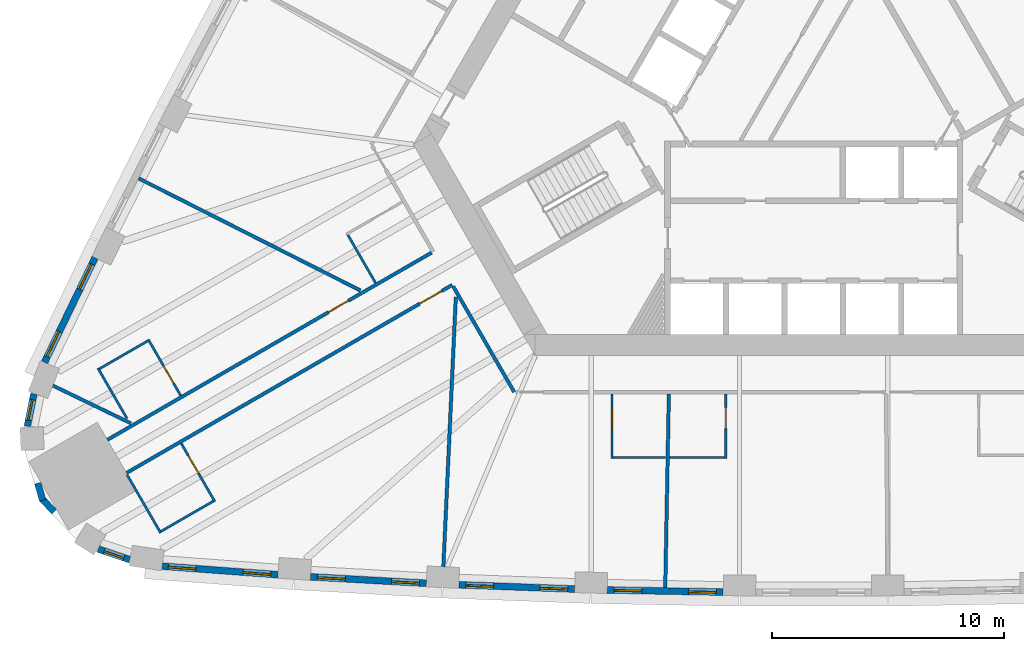
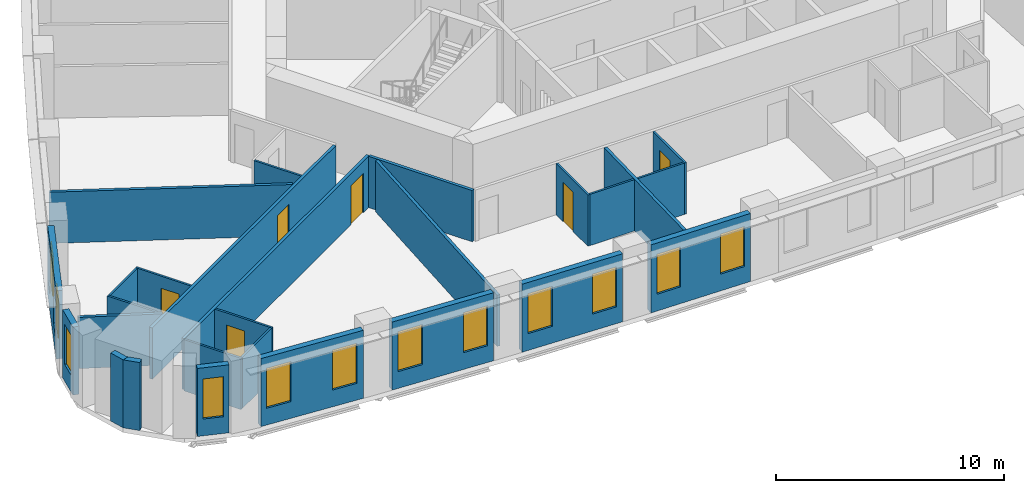
# One storey, part 3 of 12: 27 walls, 12 windows, 6 doors, 18 openings.
"""IFC4 building model written with IfcOpenShell, lengths in metres."""

from ifc_helpers import new_model, si_unit, direction, frame, frame_2d, origin, place, context, subcontext, project, spatial, rectangle, extrude, material, layer, layer_set, type_object, element, fill, save


model = new_model("IFC4")

# Units and contexts
model_context = context("Model", 3, precision=1e-05, world=origin(), true_north=direction((0.0, 1.0)))
body_context = subcontext(model_context, "Body", "Model", "MODEL_VIEW")
ifc_project = project(units=[si_unit("LENGTHUNIT", "METRE"), si_unit("AREAUNIT", "SQUARE_METRE"), si_unit("VOLUMEUNIT", "CUBIC_METRE"), si_unit("PLANEANGLEUNIT", "RADIAN"), si_unit("MASSUNIT", "GRAM", prefix="KILO")], contexts=[model_context])

# Site, building, storey
site_placement = place(None, origin())
site = spatial("IfcSite", under=ifc_project, at=site_placement, CompositionType="ELEMENT")
building_placement = place(site_placement, origin())
building = spatial("IfcBuilding", under=site, at=building_placement, Name="Mestral Congress Tower", CompositionType="ELEMENT")
storey_placement = place(building_placement, frame((0.0, 0.0, 66.60009765625)))
storey = spatial("IfcBuildingStorey", under=building, at=storey_placement, Name="L15", CompositionType="ELEMENT", Elevation=66.60009765625)

# Wall, openings, windows
ifc_material_1 = material(Name="Precast concrete C40/50 with limestone facing", Category="masonry")
ifc_layer_1 = layer(ifc_material_1, 0.2900390625)
ifc_layer_set_1 = layer_set([ifc_layer_1], Name="Precast concrete C40/50 with limestone facing")
wall_type_1 = type_object("IfcWallType", Name="Facade stone wall 290", PredefinedType="SOLIDWALL", material=ifc_layer_set_1)
wall_1_placement = place(storey_placement, frame((-28.097900390625, -22.086181640625, 0.0), z_axis=(0.0, 0.0, 1.0), x_axis=(0.997266290399, -0.073891447643, 0.0)))
wall_1 = element("IfcWall", 1, at=wall_1_placement, inside=storey, type_object=wall_type_1, Name="Facade wall F0-00", PredefinedType="SOLIDWALL", context=body_context, shape_type="SweptSolid", body=[
    extrude(rectangle(XDim=5.005615234375, YDim=0.2900390625, at=frame_2d((2.5029296875, 0.0))), origin(), (0.0, 0.0, 1.0), 3.64990234375),
])
opening_1_placement = place(wall_1_placement, frame((0.26513671875, 0.0, 0.89990234375)))
opening_1 = element("IfcOpeningElement", 2, at=opening_1_placement, cuts=wall_1, Name="Opening W1", PredefinedType="OPENING", context=body_context, shape_type="SweptSolid", body=[
    extrude(rectangle(XDim=1.199951171875, YDim=2.14990234375, at=frame_2d((0.60009765625, 1.074951171875))), frame((0.0, 0.155029296875, 0.0), z_axis=(0.0, -1.0, 0.0), x_axis=(1.0, 0.0, 0.0)), (0.0, 0.0, 1.0), 0.31005859375),
])
opening_2_placement = place(wall_1_placement, frame((3.49560546875, 0.0, 0.89990234375)))
opening_2 = element("IfcOpeningElement", 3, at=opening_2_placement, cuts=wall_1, Name="Opening W1", PredefinedType="OPENING", context=body_context, shape_type="SweptSolid", body=[
    extrude(rectangle(XDim=1.199951171875, YDim=2.14990234375, at=frame_2d((0.60009765625, 1.074951171875))), frame((0.0, 0.155029296875, 0.0), z_axis=(0.0, -1.0, 0.0), x_axis=(1.0, 0.0, 0.0)), (0.0, 0.0, 1.0), 0.31005859375),
])
ifc_material_2 = material(Name="Clear low-emissivity double glazing", Category="glass")
window_type_1 = type_object("IfcWindowType", Name="Facade punched window 1200 x 2150 sill 900", PartitioningType="DOUBLE_PANEL_VERTICAL", PredefinedType="WINDOW", material=ifc_material_2)
window_1_placement = place(opening_1_placement, origin())
window_1 = element("IfcWindow", 4, at=window_1_placement, inside=storey, type_object=window_type_1, Name="Window F0-00a", OverallHeight=2.14990234375, OverallWidth=1.199951171875, PartitioningType="DOUBLE_PANEL_VERTICAL", PredefinedType="WINDOW", context=body_context, shape_type="SweptSolid", body=[
    extrude(rectangle(XDim=1.199951171875, YDim=2.14990234375, at=frame_2d((0.60009765625, 1.074951171875))), frame((0.0, 0.01513671875, 0.0), z_axis=(0.0, -1.0, 0.0), x_axis=(1.0, 0.0, 0.0)), (0.0, 0.0, 1.0), 0.06005859375),
])
fill(opening_1, window_1)
window_2_placement = place(opening_2_placement, origin())
window_2 = element("IfcWindow", 5, at=window_2_placement, inside=storey, type_object=window_type_1, Name="Window F0-00b", OverallHeight=2.14990234375, OverallWidth=1.199951171875, PartitioningType="DOUBLE_PANEL_VERTICAL", PredefinedType="WINDOW", context=body_context, shape_type="SweptSolid", body=[
    extrude(rectangle(XDim=1.199951171875, YDim=2.14990234375, at=frame_2d((0.60009765625, 1.074951171875))), frame((0.0, 0.01513671875, 0.0), z_axis=(0.0, -1.0, 0.0), x_axis=(1.0, 0.0, 0.0)), (0.0, 0.0, 1.0), 0.06005859375),
])
fill(opening_2, window_2)

wall_2_placement = place(storey_placement, frame((-21.701416015625, -22.547119140625, 0.0), z_axis=(0.0, 0.0, 1.0), x_axis=(0.998464708705, -0.055391564976, 0.0)))
wall_2 = element("IfcWall", 6, at=wall_2_placement, inside=storey, type_object=wall_type_1, Name="Facade wall F0-01", PredefinedType="SOLIDWALL", context=body_context, shape_type="SweptSolid", body=[
    extrude(rectangle(XDim=4.998046875, YDim=0.2900390625, at=frame_2d((2.4990234375, 0.0))), origin(), (0.0, 0.0, 1.0), 3.64990234375),
])
opening_3_placement = place(wall_2_placement, frame((0.297119140625, 0.0, 0.89990234375)))
opening_3 = element("IfcOpeningElement", 7, at=opening_3_placement, cuts=wall_2, Name="Opening W1", PredefinedType="OPENING", context=body_context, shape_type="SweptSolid", body=[
    extrude(rectangle(XDim=1.199951171875, YDim=2.14990234375, at=frame_2d((0.60009765625, 1.074951171875))), frame((0.0, 0.155029296875, 0.0), z_axis=(0.0, -1.0, 0.0), x_axis=(1.0, 0.0, 0.0)), (0.0, 0.0, 1.0), 0.31005859375),
])
opening_4_placement = place(wall_2_placement, frame((3.501220703125, 0.0, 0.89990234375)))
opening_4 = element("IfcOpeningElement", 8, at=opening_4_placement, cuts=wall_2, Name="Opening W1", PredefinedType="OPENING", context=body_context, shape_type="SweptSolid", body=[
    extrude(rectangle(XDim=1.199951171875, YDim=2.14990234375, at=frame_2d((0.60009765625, 1.074951171875))), frame((0.0, 0.155029296875, 0.0), z_axis=(0.0, -1.0, 0.0), x_axis=(1.0, 0.0, 0.0)), (0.0, 0.0, 1.0), 0.31005859375),
])
window_3_placement = place(opening_3_placement, origin())
window_3 = element("IfcWindow", 9, at=window_3_placement, inside=storey, type_object=window_type_1, Name="Window F0-01a", OverallHeight=2.14990234375, OverallWidth=1.199951171875, PartitioningType="DOUBLE_PANEL_VERTICAL", PredefinedType="WINDOW", context=body_context, shape_type="SweptSolid", body=[
    extrude(rectangle(XDim=1.199951171875, YDim=2.14990234375, at=frame_2d((0.60009765625, 1.074951171875))), frame((0.0, 0.01513671875, 0.0), z_axis=(0.0, -1.0, 0.0), x_axis=(1.0, 0.0, 0.0)), (0.0, 0.0, 1.0), 0.06005859375),
])
fill(opening_3, window_3)
window_4_placement = place(opening_4_placement, origin())
window_4 = element("IfcWindow", 10, at=window_4_placement, inside=storey, type_object=window_type_1, Name="Window F0-01b", OverallHeight=2.14990234375, OverallWidth=1.199951171875, PartitioningType="DOUBLE_PANEL_VERTICAL", PredefinedType="WINDOW", context=body_context, shape_type="SweptSolid", body=[
    extrude(rectangle(XDim=1.199951171875, YDim=2.14990234375, at=frame_2d((0.60009765625, 1.074951171875))), frame((0.0, 0.01513671875, 0.0), z_axis=(0.0, -1.0, 0.0), x_axis=(1.0, 0.0, 0.0)), (0.0, 0.0, 1.0), 0.06005859375),
])
fill(opening_4, window_4)

wall_3_placement = place(storey_placement, frame((-15.30517578125, -22.88916015625, 0.0), z_axis=(0.0, 0.0, 1.0), x_axis=(0.999317974969, -0.036926750529, 0.0)))
wall_3 = element("IfcWall", 11, at=wall_3_placement, inside=storey, type_object=wall_type_1, Name="Facade wall F0-02", PredefinedType="SOLIDWALL", context=body_context, shape_type="SweptSolid", body=[
    extrude(rectangle(XDim=4.998291015625, YDim=0.2900390625, at=frame_2d((2.4990234375, 0.0))), origin(), (0.0, 0.0, 1.0), 3.64990234375),
])
opening_5_placement = place(wall_3_placement, frame((0.297119140625, 0.0, 0.89990234375)))
opening_5 = element("IfcOpeningElement", 12, at=opening_5_placement, cuts=wall_3, Name="Opening W1", PredefinedType="OPENING", context=body_context, shape_type="SweptSolid", body=[
    extrude(rectangle(XDim=1.199951171875, YDim=2.14990234375, at=frame_2d((0.60009765625, 1.074951171875))), frame((0.0, 0.155029296875, 0.0), z_axis=(0.0, -1.0, 0.0), x_axis=(1.0, 0.0, 0.0)), (0.0, 0.0, 1.0), 0.31005859375),
])
opening_6_placement = place(wall_3_placement, frame((3.501220703125, 0.0, 0.89990234375)))
opening_6 = element("IfcOpeningElement", 13, at=opening_6_placement, cuts=wall_3, Name="Opening W1", PredefinedType="OPENING", context=body_context, shape_type="SweptSolid", body=[
    extrude(rectangle(XDim=1.199951171875, YDim=2.14990234375, at=frame_2d((0.60009765625, 1.074951171875))), frame((0.0, 0.155029296875, 0.0), z_axis=(0.0, -1.0, 0.0), x_axis=(1.0, 0.0, 0.0)), (0.0, 0.0, 1.0), 0.31005859375),
])
window_5_placement = place(opening_5_placement, origin())
window_5 = element("IfcWindow", 14, at=window_5_placement, inside=storey, type_object=window_type_1, Name="Window F0-02a", OverallHeight=2.14990234375, OverallWidth=1.199951171875, PartitioningType="DOUBLE_PANEL_VERTICAL", PredefinedType="WINDOW", context=body_context, shape_type="SweptSolid", body=[
    extrude(rectangle(XDim=1.199951171875, YDim=2.14990234375, at=frame_2d((0.60009765625, 1.074951171875))), frame((0.0, 0.01513671875, 0.0), z_axis=(0.0, -1.0, 0.0), x_axis=(1.0, 0.0, 0.0)), (0.0, 0.0, 1.0), 0.06005859375),
])
fill(opening_5, window_5)
window_6_placement = place(opening_6_placement, origin())
window_6 = element("IfcWindow", 15, at=window_6_placement, inside=storey, type_object=window_type_1, Name="Window F0-02b", OverallHeight=2.14990234375, OverallWidth=1.199951171875, PartitioningType="DOUBLE_PANEL_VERTICAL", PredefinedType="WINDOW", context=body_context, shape_type="SweptSolid", body=[
    extrude(rectangle(XDim=1.199951171875, YDim=2.14990234375, at=frame_2d((0.60009765625, 1.074951171875))), frame((0.0, 0.01513671875, 0.0), z_axis=(0.0, -1.0, 0.0), x_axis=(1.0, 0.0, 0.0)), (0.0, 0.0, 1.0), 0.06005859375),
])
fill(opening_6, window_6)

wall_4_placement = place(storey_placement, frame((-8.903564453125, -23.11279296875, 0.0), z_axis=(0.0, 0.0, 1.0), x_axis=(0.999829529479, -0.018463801951, 0.0)))
wall_4 = element("IfcWall", 16, at=wall_4_placement, inside=storey, type_object=wall_type_1, Name="Facade wall F0-03", PredefinedType="SOLIDWALL", context=body_context, shape_type="SweptSolid", body=[
    extrude(rectangle(XDim=4.998046875, YDim=0.2900390625, at=frame_2d((2.4990234375, 0.0))), origin(), (0.0, 0.0, 1.0), 3.64990234375),
])
opening_7_placement = place(wall_4_placement, frame((0.297119140625, 0.0, 0.89990234375)))
opening_7 = element("IfcOpeningElement", 17, at=opening_7_placement, cuts=wall_4, Name="Opening W1", PredefinedType="OPENING", context=body_context, shape_type="SweptSolid", body=[
    extrude(rectangle(XDim=1.199951171875, YDim=2.14990234375, at=frame_2d((0.60009765625, 1.074951171875))), frame((0.0, 0.155029296875, 0.0), z_axis=(0.0, -1.0, 0.0), x_axis=(1.0, 0.0, 0.0)), (0.0, 0.0, 1.0), 0.31005859375),
])
opening_8_placement = place(wall_4_placement, frame((3.501220703125, 0.0, 0.89990234375)))
opening_8 = element("IfcOpeningElement", 18, at=opening_8_placement, cuts=wall_4, Name="Opening W1", PredefinedType="OPENING", context=body_context, shape_type="SweptSolid", body=[
    extrude(rectangle(XDim=1.199951171875, YDim=2.14990234375, at=frame_2d((0.60009765625, 1.074951171875))), frame((0.0, 0.155029296875, 0.0), z_axis=(0.0, -1.0, 0.0), x_axis=(1.0, 0.0, 0.0)), (0.0, 0.0, 1.0), 0.31005859375),
])
window_7_placement = place(opening_7_placement, origin())
window_7 = element("IfcWindow", 19, at=window_7_placement, inside=storey, type_object=window_type_1, Name="Window F0-03a", OverallHeight=2.14990234375, OverallWidth=1.199951171875, PartitioningType="DOUBLE_PANEL_VERTICAL", PredefinedType="WINDOW", context=body_context, shape_type="SweptSolid", body=[
    extrude(rectangle(XDim=1.199951171875, YDim=2.14990234375, at=frame_2d((0.60009765625, 1.074951171875))), frame((0.0, 0.01513671875, 0.0), z_axis=(0.0, -1.0, 0.0), x_axis=(1.0, 0.0, 0.0)), (0.0, 0.0, 1.0), 0.06005859375),
])
fill(opening_7, window_7)
window_8_placement = place(opening_8_placement, origin())
window_8 = element("IfcWindow", 20, at=window_8_placement, inside=storey, type_object=window_type_1, Name="Window F0-03b", OverallHeight=2.14990234375, OverallWidth=1.199951171875, PartitioningType="DOUBLE_PANEL_VERTICAL", PredefinedType="WINDOW", context=body_context, shape_type="SweptSolid", body=[
    extrude(rectangle(XDim=1.199951171875, YDim=2.14990234375, at=frame_2d((0.60009765625, 1.074951171875))), frame((0.0, 0.01513671875, 0.0), z_axis=(0.0, -1.0, 0.0), x_axis=(1.0, 0.0, 0.0)), (0.0, 0.0, 1.0), 0.06005859375),
])
fill(opening_8, window_8)

wall_5_placement = place(storey_placement, frame((-31.000244140625, -8.7822265625, 0.0), z_axis=(0.0, 0.0, 1.0), x_axis=(-0.434664499056, -0.900592456808, 0.0)))
wall_5 = element("IfcWall", 21, at=wall_5_placement, inside=storey, type_object=wall_type_1, Name="Facade wall F2-08", PredefinedType="SOLIDWALL", context=body_context, shape_type="SweptSolid", body=[
    extrude(rectangle(XDim=5.005615234375, YDim=0.2900390625, at=frame_2d((2.5029296875, 0.0))), origin(), (0.0, 0.0, 1.0), 3.64990234375),
])
opening_9_placement = place(wall_5_placement, frame((0.310302734375, 0.0, 0.89990234375)))
opening_9 = element("IfcOpeningElement", 22, at=opening_9_placement, cuts=wall_5, Name="Opening W1", PredefinedType="OPENING", context=body_context, shape_type="SweptSolid", body=[
    extrude(rectangle(XDim=1.199951171875, YDim=2.14990234375, at=frame_2d((0.60009765625, 1.074951171875))), frame((0.0, 0.155029296875, 0.0), z_axis=(0.0, -1.0, 0.0), x_axis=(1.0, 0.0, 0.0)), (0.0, 0.0, 1.0), 0.31005859375),
])
opening_10_placement = place(wall_5_placement, frame((3.54052734375, 0.0, 0.89990234375)))
opening_10 = element("IfcOpeningElement", 23, at=opening_10_placement, cuts=wall_5, Name="Opening W1", PredefinedType="OPENING", context=body_context, shape_type="SweptSolid", body=[
    extrude(rectangle(XDim=1.199951171875, YDim=2.14990234375, at=frame_2d((0.60009765625, 1.074951171875))), frame((0.0, 0.155029296875, 0.0), z_axis=(0.0, -1.0, 0.0), x_axis=(1.0, 0.0, 0.0)), (0.0, 0.0, 1.0), 0.31005859375),
])
window_9_placement = place(opening_9_placement, origin())
window_9 = element("IfcWindow", 24, at=window_9_placement, inside=storey, type_object=window_type_1, Name="Window F2-08a", OverallHeight=2.14990234375, OverallWidth=1.199951171875, PartitioningType="DOUBLE_PANEL_VERTICAL", PredefinedType="WINDOW", context=body_context, shape_type="SweptSolid", body=[
    extrude(rectangle(XDim=1.199951171875, YDim=2.14990234375, at=frame_2d((0.60009765625, 1.074951171875))), frame((0.0, 0.01513671875, 0.0), z_axis=(0.0, -1.0, 0.0), x_axis=(1.0, 0.0, 0.0)), (0.0, 0.0, 1.0), 0.06005859375),
])
fill(opening_9, window_9)
window_10_placement = place(opening_10_placement, origin())
window_10 = element("IfcWindow", 25, at=window_10_placement, inside=storey, type_object=window_type_1, Name="Window F2-08b", OverallHeight=2.14990234375, OverallWidth=1.199951171875, PartitioningType="DOUBLE_PANEL_VERTICAL", PredefinedType="WINDOW", context=body_context, shape_type="SweptSolid", body=[
    extrude(rectangle(XDim=1.199951171875, YDim=2.14990234375, at=frame_2d((0.60009765625, 1.074951171875))), frame((0.0, 0.01513671875, 0.0), z_axis=(0.0, -1.0, 0.0), x_axis=(1.0, 0.0, 0.0)), (0.0, 0.0, 1.0), 0.06005859375),
])
fill(opening_10, window_10)

# Wall, opening, window
wall_6_placement = place(storey_placement, frame((-33.63720703125, -14.656982421875, 0.0), z_axis=(0.0, 0.0, 1.0), x_axis=(-0.198106888228, -0.980180422594, 0.0)))
wall_6 = element("IfcWall", 26, at=wall_6_placement, inside=storey, type_object=wall_type_1, Name="Facade wall K2-0", PredefinedType="SOLIDWALL", context=body_context, shape_type="SweptSolid", body=[
    extrude(rectangle(XDim=1.414794921875, YDim=0.2900390625, at=frame_2d((0.70751953125, 0.0))), origin(), (0.0, 0.0, 1.0), 3.64990234375),
])
opening_11_placement = place(wall_6_placement, frame((0.25732421875, 0.0, 0.89990234375)))
opening_11 = element("IfcOpeningElement", 27, at=opening_11_placement, cuts=wall_6, Name="Opening W3", PredefinedType="OPENING", context=body_context, shape_type="SweptSolid", body=[
    extrude(rectangle(XDim=0.89990234375, YDim=2.14990234375, at=frame_2d((0.449951171875, 1.074951171875))), frame((0.0, 0.155029296875, 0.0), z_axis=(0.0, -1.0, 0.0), x_axis=(1.0, 0.0, 0.0)), (0.0, 0.0, 1.0), 0.31005859375),
])
window_type_2 = type_object("IfcWindowType", Name="Facade punched window 900 x 2150 sill 900", PartitioningType="SINGLE_PANEL", PredefinedType="WINDOW", material=ifc_material_2)
window_11_placement = place(opening_11_placement, origin())
window_11 = element("IfcWindow", 28, at=window_11_placement, inside=storey, type_object=window_type_2, Name="Window K2-0", OverallHeight=2.14990234375, OverallWidth=0.89990234375, PartitioningType="SINGLE_PANEL", PredefinedType="WINDOW", context=body_context, shape_type="SweptSolid", body=[
    extrude(rectangle(XDim=0.89990234375, YDim=2.14990234375, at=frame_2d((0.449951171875, 1.074951171875))), frame((0.0, 0.01513671875, 0.0), z_axis=(0.0, -1.0, 0.0), x_axis=(1.0, 0.0, 0.0)), (0.0, 0.0, 1.0), 0.06005859375),
])
fill(opening_11, window_11)

# Walls
for number, where, z_axis, x_axis, name in (
    (29, (-33.4697265625, -18.507080078125, 0.0), (0.0, 0.0, 1.0), (0.278981320915, -0.960296528464, 0.0), "Facade wall K2-1"),
    (30, (-33.291259765625, -19.180908203125, 0.0), (0.0, 0.0, 1.0), (0.692252359589, -0.721655506903, 0.0), "Facade wall K2-2"),
):
    element("IfcWall", number, at=place(storey_placement, frame(where, z_axis=z_axis, x_axis=x_axis)), inside=storey, type_object=wall_type_1, Name=name, PredefinedType="SOLIDWALL", context=body_context, shape_type="SweptSolid", body=[
        extrude(rectangle(XDim=0.763916015625, YDim=0.2900390625, at=frame_2d((0.3818359375, 0.0))), origin(), (0.0, 0.0, 1.0), 3.64990234375),
    ])

# Wall, opening, window
wall_7_placement = place(storey_placement, frame((-30.852783203125, -21.3515625, 0.0), z_axis=(0.0, 0.0, 1.0), x_axis=(0.947903891592, -0.318556450734, 0.0)))
wall_7 = element("IfcWall", 31, at=wall_7_placement, inside=storey, type_object=wall_type_1, Name="Facade wall K2-3", PredefinedType="SOLIDWALL", context=body_context, shape_type="SweptSolid", body=[
    extrude(rectangle(XDim=1.414794921875, YDim=0.2900390625, at=frame_2d((0.70751953125, 0.0))), origin(), (0.0, 0.0, 1.0), 3.64990234375),
])
opening_12_placement = place(wall_7_placement, frame((0.25732421875, 0.0, 0.89990234375)))
opening_12 = element("IfcOpeningElement", 32, at=opening_12_placement, cuts=wall_7, Name="Opening W3", PredefinedType="OPENING", context=body_context, shape_type="SweptSolid", body=[
    extrude(rectangle(XDim=0.89990234375, YDim=2.14990234375, at=frame_2d((0.449951171875, 1.074951171875))), frame((0.0, 0.155029296875, 0.0), z_axis=(0.0, -1.0, 0.0), x_axis=(1.0, 0.0, 0.0)), (0.0, 0.0, 1.0), 0.31005859375),
])
window_12_placement = place(opening_12_placement, origin())
window_12 = element("IfcWindow", 33, at=window_12_placement, inside=storey, type_object=window_type_2, Name="Window K2-3", OverallHeight=2.14990234375, OverallWidth=0.89990234375, PartitioningType="SINGLE_PANEL", PredefinedType="WINDOW", context=body_context, shape_type="SweptSolid", body=[
    extrude(rectangle(XDim=0.89990234375, YDim=2.14990234375, at=frame_2d((0.449951171875, 1.074951171875))), frame((0.0, 0.01513671875, 0.0), z_axis=(0.0, -1.0, 0.0), x_axis=(1.0, 0.0, 0.0)), (0.0, 0.0, 1.0), 0.06005859375),
])
fill(opening_12, window_12)

# Wall, opening, door
ifc_material_3 = material(Name="Gypsum board partition on metal studs with mineral wool", Category="composite")
ifc_layer_2 = layer(ifc_material_3, 0.10009765625)
ifc_layer_set_2 = layer_set([ifc_layer_2], Name="Gypsum board partition on metal studs with mineral wool")
wall_type_2 = type_object("IfcWallType", Name="Hotel partition wall 100", PredefinedType="PARTITIONING", material=ifc_layer_set_2)
wall_8_placement = place(storey_placement, frame((-25.8291015625, -19.30029296875, 0.0), z_axis=(0.0, 0.0, 1.0), x_axis=(-0.50005036918, 0.865996321171, 0.0)))
wall_8 = element("IfcWall", 34, at=wall_8_placement, inside=storey, type_object=wall_type_2, Name="L15-h-pod01a", PredefinedType="PARTITIONING", context=body_context, shape_type="SweptSolid", body=[
    extrude(rectangle(XDim=2.900146484375, YDim=0.10009765625, at=frame_2d((1.4501953125, 0.0))), origin(), (0.0, 0.0, 1.0), 2.75),
])
opening_13_placement = place(wall_8_placement, frame((1.39990234375, 0.0, 0.0)))
opening_13 = element("IfcOpeningElement", 35, at=opening_13_placement, cuts=wall_8, Name="Opening H04-002", PredefinedType="OPENING", context=body_context, shape_type="SweptSolid", body=[
    extrude(rectangle(XDim=0.89990234375, YDim=2.10009765625, at=frame_2d((0.449951171875, 1.050048828125))), frame((0.0, 0.06005859375, 0.0), z_axis=(0.0, -1.0, 0.0), x_axis=(1.0, 0.0, 0.0)), (0.0, 0.0, 1.0), 0.1201171875),
])
ifc_material_4 = material(Name="Timber veneer door leaf in timber frame", Category="wood")
door_type_1 = type_object("IfcDoorType", Name="Bathroom door 900", OperationType="SINGLE_SWING_LEFT", PredefinedType="DOOR", material=ifc_material_4)
door_1_placement = place(opening_13_placement, origin())
door_1 = element("IfcDoor", 36, at=door_1_placement, inside=storey, type_object=door_type_1, Name="L15-h-d002", OperationType="SINGLE_SWING_LEFT", OverallHeight=2.10009765625, OverallWidth=0.89990234375, PredefinedType="DOOR", context=body_context, shape_type="SweptSolid", body=[
    extrude(rectangle(XDim=0.89990234375, YDim=2.10009765625, at=frame_2d((0.449951171875, 1.050048828125))), frame((0.0, 0.02490234375, 0.0), z_axis=(0.0, -1.0, 0.0), x_axis=(1.0, 0.0, 0.0)), (0.0, 0.0, 1.0), 0.050048828125),
])
fill(opening_13, door_1)

# Walls
wall_9_placement = place(storey_placement, frame((-25.8974609375, -19.281982421875, 0.0), z_axis=(0.0, 0.0, 1.0), x_axis=(-0.866021400173, -0.500006934395, 0.0)))
element("IfcWall", 37, at=wall_9_placement, inside=storey, type_object=wall_type_2, Name="L15-h-pod01b", PredefinedType="PARTITIONING", context=body_context, shape_type="SweptSolid", body=[
    extrude(rectangle(XDim=2.60009765625, YDim=0.10009765625, at=frame_2d((1.300048828125, 0.0))), origin(), (0.0, 0.0, 1.0), 2.75),
])
wall_10_placement = place(storey_placement, frame((-29.617431640625, -18.138916015625, 0.0), z_axis=(0.0, 0.0, 1.0), x_axis=(0.499987231761, -0.866032775405, 0.0)))
element("IfcWall", 38, at=wall_10_placement, inside=storey, type_object=wall_type_2, Name="L15-h-pod01c", PredefinedType="PARTITIONING", context=body_context, shape_type="SweptSolid", body=[
    extrude(rectangle(XDim=2.89990234375, YDim=0.10009765625, at=frame_2d((1.449951171875, 0.0))), origin(), (0.0, 0.0, 1.0), 2.75),
])

# Wall, opening, door
wall_11_placement = place(storey_placement, frame((-8.70166015625, -14.64990234375, 0.0), z_axis=(0.0, 0.0, 1.0), x_axis=(0.0, -1.0, 0.0)))
wall_11 = element("IfcWall", 39, at=wall_11_placement, inside=storey, type_object=wall_type_2, Name="L15-h-pod02a", PredefinedType="PARTITIONING", context=body_context, shape_type="SweptSolid", body=[
    extrude(rectangle(XDim=2.800048828125, YDim=0.10009765625, at=frame_2d((1.39990234375, 0.0))), origin(), (0.0, 0.0, 1.0), 2.75),
])
opening_14_placement = place(wall_11_placement, frame((0.60009765625, 0.0, 0.0)))
opening_14 = element("IfcOpeningElement", 40, at=opening_14_placement, cuts=wall_11, Name="Opening H04-004", PredefinedType="OPENING", context=body_context, shape_type="SweptSolid", body=[
    extrude(rectangle(XDim=0.89990234375, YDim=2.10009765625, at=frame_2d((0.449951171875, 1.050048828125))), frame((0.0, 0.06005859375, 0.0), z_axis=(0.0, -1.0, 0.0), x_axis=(1.0, 0.0, 0.0)), (0.0, 0.0, 1.0), 0.1201171875),
])
door_2_placement = place(opening_14_placement, origin())
door_2 = element("IfcDoor", 41, at=door_2_placement, inside=storey, type_object=door_type_1, Name="L15-h-d004", OperationType="SINGLE_SWING_LEFT", OverallHeight=2.10009765625, OverallWidth=0.89990234375, PredefinedType="DOOR", context=body_context, shape_type="SweptSolid", body=[
    extrude(rectangle(XDim=0.89990234375, YDim=2.10009765625, at=frame_2d((0.449951171875, 1.050048828125))), frame((0.0, 0.02490234375, 0.0), z_axis=(0.0, -1.0, 0.0), x_axis=(1.0, 0.0, 0.0)), (0.0, 0.0, 1.0), 0.050048828125),
])
fill(opening_14, door_2)

# Wall
wall_12_placement = place(storey_placement, frame((-8.651611328125, -17.39990234375, 0.0), z_axis=(0.0, 0.0, 1.0), x_axis=(1.0, 0.0, 0.0)))
element("IfcWall", 42, at=wall_12_placement, inside=storey, type_object=wall_type_2, Name="L15-h-pod02b", PredefinedType="PARTITIONING", context=body_context, shape_type="SweptSolid", body=[
    extrude(rectangle(XDim=2.27001953125, YDim=0.10009765625, at=frame_2d((1.135009765625, 0.0))), origin(), (0.0, 0.0, 1.0), 2.75),
])

# Wall, opening, door
wall_13_placement = place(storey_placement, frame((-3.794189453125, -17.449951171875, 0.0), z_axis=(0.0, 0.0, 1.0), x_axis=(0.0, 1.0, 0.0)))
wall_13 = element("IfcWall", 43, at=wall_13_placement, inside=storey, type_object=wall_type_2, Name="L15-h-pod03a", PredefinedType="PARTITIONING", context=body_context, shape_type="SweptSolid", body=[
    extrude(rectangle(XDim=2.800048828125, YDim=0.10009765625, at=frame_2d((1.39990234375, 0.0))), origin(), (0.0, 0.0, 1.0), 2.75),
])
opening_15_placement = place(wall_13_placement, frame((1.300048828125, 0.0, 0.0)))
opening_15 = element("IfcOpeningElement", 44, at=opening_15_placement, cuts=wall_13, Name="Opening H04-006", PredefinedType="OPENING", context=body_context, shape_type="SweptSolid", body=[
    extrude(rectangle(XDim=0.89990234375, YDim=2.10009765625, at=frame_2d((0.449951171875, 1.050048828125))), frame((0.0, 0.06005859375, 0.0), z_axis=(0.0, -1.0, 0.0), x_axis=(1.0, 0.0, 0.0)), (0.0, 0.0, 1.0), 0.1201171875),
])
door_3_placement = place(opening_15_placement, origin())
door_3 = element("IfcDoor", 45, at=door_3_placement, inside=storey, type_object=door_type_1, Name="L15-h-d006", OperationType="SINGLE_SWING_RIGHT", OverallHeight=2.10009765625, OverallWidth=0.89990234375, PredefinedType="DOOR", context=body_context, shape_type="SweptSolid", body=[
    extrude(rectangle(XDim=0.89990234375, YDim=2.10009765625, at=frame_2d((0.449951171875, 1.050048828125))), frame((0.0, 0.02490234375, 0.0), z_axis=(0.0, -1.0, 0.0), x_axis=(1.0, 0.0, 0.0)), (0.0, 0.0, 1.0), 0.050048828125),
])
fill(opening_15, door_3)

# Walls
wall_14_placement = place(storey_placement, frame((-3.84423828125, -17.39990234375, 0.0), z_axis=(0.0, 0.0, 1.0), x_axis=(-1.0, 0.0, 0.0)))
element("IfcWall", 46, at=wall_14_placement, inside=storey, type_object=wall_type_2, Name="L15-h-pod03b", PredefinedType="PARTITIONING", context=body_context, shape_type="SweptSolid", body=[
    extrude(rectangle(XDim=2.3701171875, YDim=0.10009765625, at=frame_2d((1.18505859375, 0.0))), origin(), (0.0, 0.0, 1.0), 2.75),
])
wall_15_placement = place(storey_placement, frame((-20.091796875, -7.7998046875, 0.0), z_axis=(0.0, 0.0, 1.0), x_axis=(0.499940577336, -0.866059708757, 0.0)))
element("IfcWall", 47, at=wall_15_placement, inside=storey, type_object=wall_type_2, Name="L15-h-pod22b", PredefinedType="PARTITIONING", context=body_context, shape_type="SweptSolid", body=[
    extrude(rectangle(XDim=2.389892578125, YDim=0.10009765625, at=frame_2d((1.19482421875, 0.0))), origin(), (0.0, 0.0, 1.0), 2.75),
])

# Wall, opening, door
wall_16_placement = place(storey_placement, frame((-27.30419921875, -14.724853515625, 0.0), z_axis=(0.0, 0.0, 1.0), x_axis=(-0.49998411664, 0.866034573852, 0.0)))
wall_16 = element("IfcWall", 48, at=wall_16_placement, inside=storey, type_object=wall_type_2, Name="L15-h-pod23a", PredefinedType="PARTITIONING", context=body_context, shape_type="SweptSolid", body=[
    extrude(rectangle(XDim=2.7998046875, YDim=0.10009765625, at=frame_2d((1.39990234375, 0.0))), origin(), (0.0, 0.0, 1.0), 2.75),
])
opening_16_placement = place(wall_16_placement, frame((0.60009765625, 0.0, 0.0)))
opening_16 = element("IfcOpeningElement", 49, at=opening_16_placement, cuts=wall_16, Name="Opening H04-044", PredefinedType="OPENING", context=body_context, shape_type="SweptSolid", body=[
    extrude(rectangle(XDim=0.89990234375, YDim=2.10009765625, at=frame_2d((0.449951171875, 1.050048828125))), frame((0.0, 0.06005859375, 0.0), z_axis=(0.0, -1.0, 0.0), x_axis=(1.0, 0.0, 0.0)), (0.0, 0.0, 1.0), 0.1201171875),
])
door_4_placement = place(opening_16_placement, origin())
door_4 = element("IfcDoor", 50, at=door_4_placement, inside=storey, type_object=door_type_1, Name="L15-h-d044", OperationType="SINGLE_SWING_LEFT", OverallHeight=2.10009765625, OverallWidth=0.89990234375, PredefinedType="DOOR", context=body_context, shape_type="SweptSolid", body=[
    extrude(rectangle(XDim=0.89990234375, YDim=2.10009765625, at=frame_2d((0.449951171875, 1.050048828125))), frame((0.0, 0.02490234375, 0.0), z_axis=(0.0, -1.0, 0.0), x_axis=(1.0, 0.0, 0.0)), (0.0, 0.0, 1.0), 0.050048828125),
])
fill(opening_16, door_4)

# Walls
wall_17_placement = place(storey_placement, frame((-28.722412109375, -12.368408203125, 0.0), z_axis=(0.0, 0.0, 1.0), x_axis=(-0.866050077142, -0.499957262057, 0.0)))
element("IfcWall", 51, at=wall_17_placement, inside=storey, type_object=wall_type_2, Name="L15-h-pod23b", PredefinedType="PARTITIONING", context=body_context, shape_type="SweptSolid", body=[
    extrude(rectangle(XDim=2.400146484375, YDim=0.10009765625, at=frame_2d((1.2001953125, 0.0))), origin(), (0.0, 0.0, 1.0), 2.75),
])
wall_18_placement = place(storey_placement, frame((-29.619384765625, -15.715087890625, 0.0), z_axis=(0.0, 0.0, 1.0), x_axis=(-0.500004234368, 0.866022959057, 0.0)))
element("IfcWall", 52, at=wall_18_placement, inside=storey, type_object=wall_type_2, Name="L15-h-pod23c", PredefinedType="PARTITIONING", context=body_context, shape_type="SweptSolid", body=[
    extrude(rectangle(XDim=2.5, YDim=0.10009765625, at=frame_2d((1.25, 0.0))), origin(), (0.0, 0.0, 1.0), 2.75),
])

# Wall, opening, door
ifc_layer_3 = layer(ifc_material_3, 0.14990234375)
ifc_layer_set_3 = layer_set([ifc_layer_3], Name="Gypsum board partition on metal studs with mineral wool")
wall_type_3 = type_object("IfcWallType", Name="Hotel partition wall 150", PredefinedType="PARTITIONING", material=ifc_layer_set_3)
wall_19_placement = place(storey_placement, frame((-30.462646484375, -16.635009765625, 0.0), z_axis=(0.0, 0.0, 1.0), x_axis=(0.866022394896, 0.500005211512, 0.0)))
wall_19 = element("IfcWall", 53, at=wall_19_placement, inside=storey, type_object=wall_type_3, Name="L15-h-cw10", PredefinedType="PARTITIONING", context=body_context, shape_type="SweptSolid", body=[
    extrude(rectangle(XDim=16.143798828125, YDim=0.14990234375, at=frame_2d((8.07177734375, 0.0))), origin(), (0.0, 0.0, 1.0), 2.75),
])
opening_17_placement = place(wall_19_placement, frame((11.004150390625, 0.0, 0.0)))
opening_17 = element("IfcOpeningElement", 54, at=opening_17_placement, cuts=wall_19, Name="Opening H04-043", PredefinedType="OPENING", context=body_context, shape_type="SweptSolid", body=[
    extrude(rectangle(XDim=1.0, YDim=2.10009765625, at=frame_2d((0.5, 1.050048828125))), frame((0.0, 0.0849609375, 0.0), z_axis=(0.0, -1.0, 0.0), x_axis=(1.0, 0.0, 0.0)), (0.0, 0.0, 1.0), 0.169921875),
])
ifc_material_5 = material(Name="Timber veneer door leaf in metal frame", Category="wood")
door_type_2 = type_object("IfcDoorType", Name="Guest room entrance door 1000", OperationType="SINGLE_SWING_LEFT", PredefinedType="DOOR", material=ifc_material_5)
door_5_placement = place(opening_17_placement, origin())
door_5 = element("IfcDoor", 55, at=door_5_placement, inside=storey, type_object=door_type_2, Name="L15-h-d043", OperationType="SINGLE_SWING_RIGHT", OverallHeight=2.10009765625, OverallWidth=1.0, PredefinedType="DOOR", context=body_context, shape_type="SweptSolid", body=[
    extrude(rectangle(XDim=1.0, YDim=2.10009765625, at=frame_2d((0.5, 1.050048828125))), frame((0.0, 0.02490234375, 0.0), z_axis=(0.0, -1.0, 0.0), x_axis=(1.0, 0.0, 0.0)), (0.0, 0.0, 1.0), 0.050048828125),
])
fill(opening_17, door_5)

wall_20_placement = place(storey_placement, frame((-15.58740234375, -9.951904296875, 0.0), z_axis=(0.0, 0.0, 1.0), x_axis=(-0.866022197818, -0.500005552856, 0.0)))
wall_20 = element("IfcWall", 56, at=wall_20_placement, inside=storey, type_object=wall_type_3, Name="L15-h-cw11", PredefinedType="PARTITIONING", context=body_context, shape_type="SweptSolid", body=[
    extrude(rectangle(XDim=16.223876953125, YDim=0.14990234375, at=frame_2d((8.11181640625, 0.0))), origin(), (0.0, 0.0, 1.0), 2.75),
])
opening_18_placement = place(wall_20_placement, frame((0.527099609375, 0.0, 0.0)))
opening_18 = element("IfcOpeningElement", 57, at=opening_18_placement, cuts=wall_20, Name="Opening H04-001", PredefinedType="OPENING", context=body_context, shape_type="SweptSolid", body=[
    extrude(rectangle(XDim=1.10009765625, YDim=2.10009765625, at=frame_2d((0.550048828125, 1.050048828125))), frame((0.0, 0.0849609375, 0.0), z_axis=(0.0, -1.0, 0.0), x_axis=(1.0, 0.0, 0.0)), (0.0, 0.0, 1.0), 0.169921875),
])
door_type_3 = type_object("IfcDoorType", Name="Accessible room entrance door 1100", OperationType="SINGLE_SWING_LEFT", PredefinedType="DOOR", material=ifc_material_5)
door_6_placement = place(opening_18_placement, origin())
door_6 = element("IfcDoor", 58, at=door_6_placement, inside=storey, type_object=door_type_3, Name="L15-h-d001", OperationType="SINGLE_SWING_LEFT", OverallHeight=2.10009765625, OverallWidth=1.10009765625, PredefinedType="DOOR", context=body_context, shape_type="SweptSolid", body=[
    extrude(rectangle(XDim=1.10009765625, YDim=2.10009765625, at=frame_2d((0.550048828125, 1.050048828125))), frame((0.0, 0.02490234375, 0.0), z_axis=(0.0, -1.0, 0.0), x_axis=(1.0, 0.0, 0.0)), (0.0, 0.0, 1.0), 0.050048828125),
])
fill(opening_18, door_6)

# Walls
wall_21_placement = place(storey_placement, frame((-12.918212890625, -14.574951171875, 0.0), z_axis=(0.0, 0.0, 1.0), x_axis=(-0.500009150678, 0.866020120573, 0.0)))
element("IfcWall", 59, at=wall_21_placement, inside=storey, type_object=wall_type_3, Name="L15-h-cw12", PredefinedType="PARTITIONING", context=body_context, shape_type="SweptSolid", body=[
    extrude(rectangle(XDim=5.25830078125, YDim=0.14990234375, at=frame_2d((2.629150390625, 0.0))), origin(), (0.0, 0.0, 1.0), 2.75),
])
wall_22_placement = place(storey_placement, frame((-32.8173828125, -14.29638671875, 0.0), z_axis=(0.0, 0.0, 1.0), x_axis=(0.900616957918, -0.434613730927, 0.0)))
element("IfcWall", 60, at=wall_22_placement, inside=storey, type_object=wall_type_3, Name="L15-h-pw01", PredefinedType="PARTITIONING", context=body_context, shape_type="SweptSolid", body=[
    extrude(rectangle(XDim=3.7333984375, YDim=0.14990234375, at=frame_2d((1.86669921875, 0.0))), origin(), (0.0, 0.0, 1.0), 2.75),
])
wall_23_placement = place(storey_placement, frame((-29.119873046875, -5.355712890625, 0.0), z_axis=(0.0, 0.0, 1.0), x_axis=(0.892401965553, -0.451241323327, 0.0)))
element("IfcWall", 61, at=wall_23_placement, inside=storey, type_object=wall_type_3, Name="L15-h-pw02", PredefinedType="PARTITIONING", context=body_context, shape_type="SweptSolid", body=[
    extrude(rectangle(XDim=10.728759765625, YDim=0.14990234375, at=frame_2d((5.3642578125, 0.0))), origin(), (0.0, 0.0, 1.0), 2.75),
])
wall_24_placement = place(storey_placement, frame((-15.973388671875, -22.10888671875, 0.0), z_axis=(0.0, 0.0, 1.0), x_axis=(0.046191717129, 0.998932592955, 0.0)))
element("IfcWall", 62, at=wall_24_placement, inside=storey, type_object=wall_type_3, Name="L15-h-pw05", PredefinedType="PARTITIONING", context=body_context, shape_type="SweptSolid", body=[
    extrude(rectangle(XDim=11.638427734375, YDim=0.14990234375, at=frame_2d((5.8193359375, 0.0))), origin(), (0.0, 0.0, 1.0), 2.75),
])
wall_25_placement = place(storey_placement, frame((-6.40234375, -23.013916015625, 0.0), z_axis=(0.0, 0.0, 1.0), x_axis=(0.01849587109, 0.999828936745, 0.0)))
element("IfcWall", 63, at=wall_25_placement, inside=storey, type_object=wall_type_3, Name="L15-h-pw08", PredefinedType="PARTITIONING", context=body_context, shape_type="SweptSolid", body=[
    extrude(rectangle(XDim=8.35546875, YDim=0.14990234375, at=frame_2d((4.177734375, 0.0))), origin(), (0.0, 0.0, 1.0), 2.75),
])

save(model, "model.ifc")
